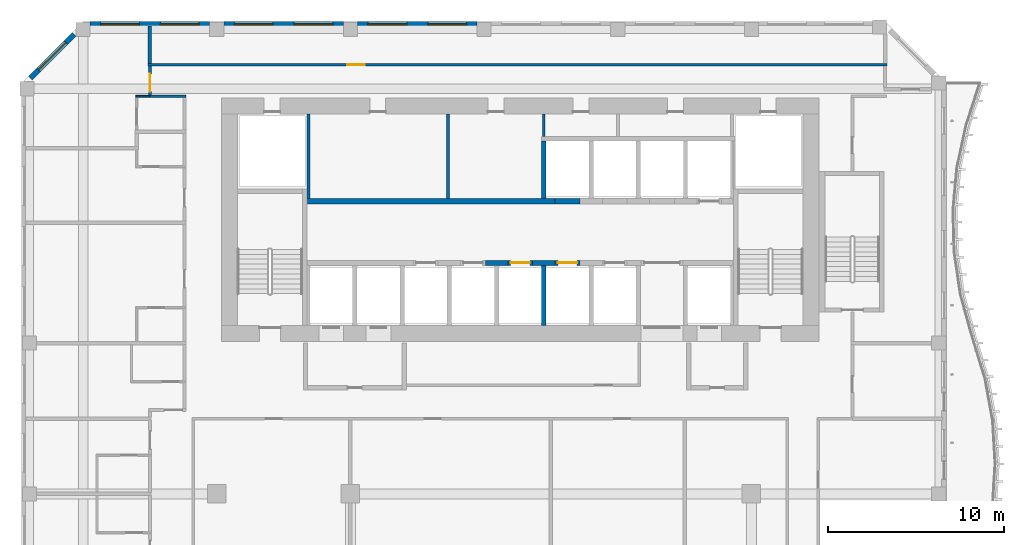
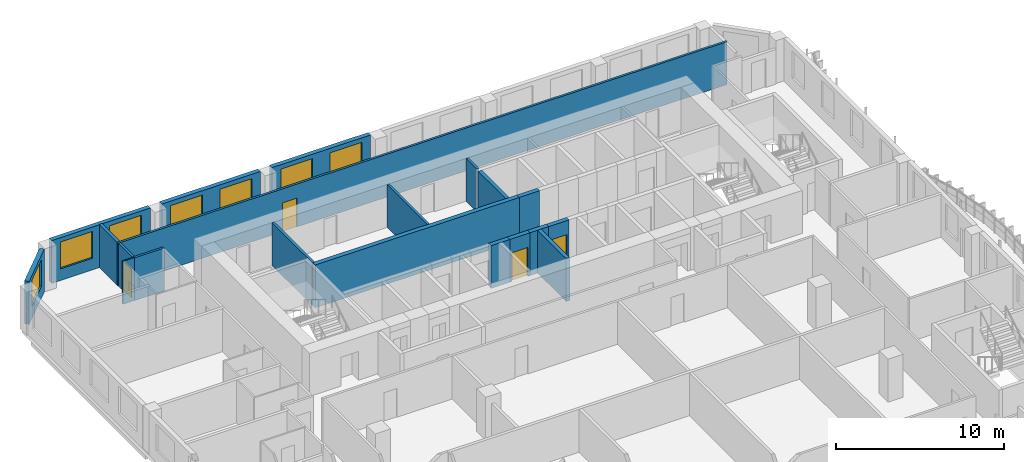
# One storey, part 8 of 23: 20 walls, 7 windows, 4 doors, 11 openings.
"""IFC4 building model written with IfcOpenShell, lengths in metres."""

from ifc_helpers import new_model, si_unit, direction, frame, frame_2d, origin, place, context, subcontext, project, spatial, rectangle, extrude, source, transform, mapped, material, layer, layer_set, type_object, element, fill, save


model = new_model("IFC4")

# Units and contexts
model_context = context("Model", 3, precision=1e-05, world=origin(), true_north=direction((0.0, 1.0)))
body_context = subcontext(model_context, "Body", "Model", "MODEL_VIEW")
ifc_project = project(units=[si_unit("LENGTHUNIT", "METRE"), si_unit("AREAUNIT", "SQUARE_METRE"), si_unit("VOLUMEUNIT", "CUBIC_METRE"), si_unit("PLANEANGLEUNIT", "RADIAN"), si_unit("MASSUNIT", "GRAM", prefix="KILO")], contexts=[model_context])

# Site, building, storey
site_placement = place(None, origin())
site = spatial("IfcSite", under=ifc_project, at=site_placement, CompositionType="ELEMENT")
building_placement = place(site_placement, origin())
building = spatial("IfcBuilding", under=site, at=building_placement, Name="Kilnfold Tower and Market Hall", CompositionType="ELEMENT")
storey_placement = place(building_placement, frame((0.0, 0.0, 178.699951171875)))
storey = spatial("IfcBuildingStorey", under=building, at=storey_placement, Name="L42", CompositionType="ELEMENT", Elevation=178.699951171875)

# Wall, opening, door
ifc_material_1 = material(Name="Gypsum board on steel studs", Category="steel")
ifc_layer_1 = layer(ifc_material_1, 0.14990234375)
ifc_layer_set_1 = layer_set([ifc_layer_1], Name="Gypsum board on steel studs")
wall_type_1 = type_object("IfcWallType", Name="WALL CORRIDOR 150", PredefinedType="PARTITIONING", material=ifc_layer_set_1)
wall_1_placement = place(storey_placement, frame((-19.958984375, 22.074951171875, 0.0), z_axis=(0.0, 0.0, 1.0), x_axis=(0.0, 1.0, 0.0)))
wall_1 = element("IfcWall", 1, at=wall_1_placement, inside=storey, type_object=wall_type_1, Name="Partition LY27.26", PredefinedType="PARTITIONING", context=body_context, shape_type="SweptSolid", body=[
    extrude(rectangle(XDim=1.650146484375, YDim=0.14990234375, at=frame_2d((0.8251953125, 0.0))), origin(), (0.0, 0.0, 1.0), 3.1201171875),
])
opening_1_placement = place(wall_1_placement, frame((0.199951171875, 0.0, 0.0)))
opening_1 = element("IfcOpeningElement", 2, at=opening_1_placement, cuts=wall_1, Name="Opening D1", PredefinedType="OPENING", context=body_context, shape_type="SweptSolid", body=[
    extrude(rectangle(XDim=1.0, YDim=2.10009765625, at=frame_2d((0.5, 1.050048828125))), frame((0.0, 0.0849609375, 0.0), z_axis=(0.0, -1.0, 0.0), x_axis=(1.0, 0.0, 0.0)), (0.0, 0.0, 1.0), 0.169921875),
])
ifc_material_2 = material(Name="Timber veneer door leaf in steel frame", Category="steel")
door_type_1 = type_object("IfcDoorType", Name="DOOR ENTRY 1000 X2100", OperationType="NOTDEFINED", PredefinedType="DOOR", material=ifc_material_2)
door_1_placement = place(opening_1_placement, origin())
door_1 = element("IfcDoor", 3, at=door_1_placement, inside=storey, type_object=door_type_1, Name="Door D1", OperationType="SINGLE_SWING_LEFT", OverallHeight=2.10009765625, OverallWidth=1.0, PredefinedType="DOOR", context=body_context, shape_type="SweptSolid", body=[
    extrude(rectangle(XDim=1.0, YDim=2.10009765625, at=frame_2d((0.5, 1.050048828125))), frame((0.0, 0.02490234375, 0.0), z_axis=(0.0, -1.0, 0.0), x_axis=(1.0, 0.0, 0.0)), (0.0, 0.0, 1.0), 0.050048828125),
])
fill(opening_1, door_1)

# Wall
wall_2_placement = place(storey_placement, frame((-19.958984375, 22.0, 0.0), z_axis=(0.0, 0.0, 1.0), x_axis=(1.0, 0.0, 0.0)))
element("IfcWall", 4, at=wall_2_placement, inside=storey, type_object=wall_type_1, Name="Partition LY27.28", PredefinedType="PARTITIONING", context=body_context, shape_type="SweptSolid", body=[
    extrude(rectangle(XDim=2.033935546875, YDim=0.14990234375, at=frame_2d((1.01708984375, 0.0))), origin(), (0.0, 0.0, 1.0), 3.1201171875),
])

# Wall, opening, door
wall_3_placement = place(storey_placement, frame((21.85009765625, 23.800048828125, 0.0), z_axis=(0.0, 0.0, 1.0), x_axis=(-1.0, 0.0, 0.0)))
wall_3 = element("IfcWall", 5, at=wall_3_placement, inside=storey, type_object=wall_type_1, Name="Partition LY27.39", PredefinedType="PARTITIONING", context=body_context, shape_type="SweptSolid", body=[
    extrude(rectangle(XDim=41.9091796875, YDim=0.14990234375, at=frame_2d((20.95458984375, 0.0))), origin(), (0.0, 0.0, 1.0), 3.1201171875),
])
opening_2_placement = place(wall_3_placement, frame((29.60693359375, 0.0, 0.0)))
opening_2 = element("IfcOpeningElement", 6, at=opening_2_placement, cuts=wall_3, Name="Opening D4", PredefinedType="OPENING", context=body_context, shape_type="SweptSolid", body=[
    extrude(rectangle(XDim=1.0, YDim=2.10009765625, at=frame_2d((0.5, 1.050048828125))), frame((0.0, 0.0849609375, 0.0), z_axis=(0.0, -1.0, 0.0), x_axis=(1.0, 0.0, 0.0)), (0.0, 0.0, 1.0), 0.169921875),
])
ifc_material_3 = material(Name="Timber veneer door leaf in steel frame", Category="steel")
door_type_2 = type_object("IfcDoorType", Name="DOOR SERVICE 1000 X2100", OperationType="NOTDEFINED", PredefinedType="DOOR", material=ifc_material_3)
door_2_placement = place(opening_2_placement, origin())
door_2 = element("IfcDoor", 7, at=door_2_placement, inside=storey, type_object=door_type_2, Name="Door D4", OperationType="SINGLE_SWING_LEFT", OverallHeight=2.10009765625, OverallWidth=1.0, PredefinedType="DOOR", context=body_context, shape_type="SweptSolid", body=[
    extrude(rectangle(XDim=1.0, YDim=2.10009765625, at=frame_2d((0.5, 1.050048828125))), frame((0.0, 0.02490234375, 0.0), z_axis=(0.0, -1.0, 0.0), x_axis=(1.0, 0.0, 0.0)), (0.0, 0.0, 1.0), 0.050048828125),
])
fill(opening_2, door_2)

# Walls
ifc_material_4 = material(Name="Gypsum board on steel studs", Category="steel")
ifc_layer_2 = layer(ifc_material_4, 0.10009765625)
ifc_layer_set_2 = layer_set([ifc_layer_2], Name="Gypsum board on steel studs")
wall_type_2 = type_object("IfcWallType", Name="WALL PARTITION 100", PredefinedType="PARTITIONING", material=ifc_layer_set_2)
wall_4_placement = place(storey_placement, frame((-20.751953125, 22.0, 0.0), z_axis=(0.0, 0.0, 1.0), x_axis=(1.0, 0.0, 0.0)))
element("IfcWall", 8, at=wall_4_placement, inside=storey, type_object=wall_type_2, Name="Partition LY27.108", PredefinedType="PARTITIONING", context=body_context, shape_type="SweptSolid", body=[
    extrude(rectangle(XDim=0.791015625, YDim=0.10009765625, at=frame_2d((0.3955078125, 0.0))), origin(), (0.0, 0.0, 1.0), 3.1201171875),
])
ifc_material_5 = material(Name="Gypsum board on steel studs", Category="steel")
ifc_layer_3 = layer(ifc_material_5, 0.199951171875)
ifc_layer_set_3 = layer_set([ifc_layer_3], Name="Gypsum board on steel studs")
wall_type_3 = type_object("IfcWallType", Name="WALL PARTY 200", PredefinedType="PARTITIONING", material=ifc_layer_set_3)
wall_5_placement = place(storey_placement, frame((-19.958984375, 23.876953125, 0.0), z_axis=(0.0, 0.0, 1.0), x_axis=(0.0, 1.0, 0.0)))
element("IfcWall", 9, at=wall_5_placement, inside=storey, type_object=wall_type_3, Name="Partition LY27.110", PredefinedType="PARTITIONING", context=body_context, shape_type="SweptSolid", body=[
    extrude(rectangle(XDim=2.123046875, YDim=0.199951171875, at=frame_2d((1.0615234375, 0.0))), origin(), (0.0, 0.0, 1.0), 3.1201171875),
])
ifc_material_6 = material(Name="Concrete C70", Category="concrete")
ifc_layer_4 = layer(ifc_material_6, 0.300048828125)
ifc_layer_set_4 = layer_set([ifc_layer_4], Name="Concrete C70")
wall_type_4 = type_object("IfcWallType", Name="CORE WALL 300 C70", PredefinedType="SHEAR", material=ifc_layer_set_4)
shared_shape_1 = source(origin(), body_context, "Body", "SweptSolid", [
    extrude(rectangle(XDim=1.280029296875, YDim=0.300048828125, at=frame_2d((0.64013671875, 0.0))), origin(), (0.0, 0.0, 1.0), 3.1201171875),
])
for number, where, z_axis, x_axis, name in (
    (10, (-0.929931640625, 12.550048828125, 0.0), (0.0, 0.0, 1.0), (1.0, 0.0, 0.0), "Core spine wall"),
    (11, (1.75, 12.550048828125, 0.0), (0.0, 0.0, 1.0), (1.0, 0.0, 0.0), "Core spine wall"),
):
    element("IfcWall", number, at=place(storey_placement, frame(where, z_axis=z_axis, x_axis=x_axis)), inside=storey, type_object=wall_type_4, Name=name, PredefinedType="SHEAR", context=body_context, shape_type="MappedRepresentation", body=[
        mapped(shared_shape_1, transform((0.0, 0.0, 0.0))),
    ])
shared_shape_2 = source(origin(), body_context, "Body", "SweptSolid", [
    extrude(rectangle(XDim=14.0400390625, YDim=0.300048828125, at=frame_2d((7.02001953125, 0.0))), origin(), (0.0, 0.0, 1.0), 3.1201171875),
])
wall_6_placement = place(storey_placement, frame((-11.010009765625, 16.050048828125, 0.0), z_axis=(0.0, 0.0, 1.0), x_axis=(1.0, 0.0, 0.0)))
element("IfcWall", 12, at=wall_6_placement, inside=storey, type_object=wall_type_4, Name="Core spine wall", PredefinedType="SHEAR", context=body_context, shape_type="MappedRepresentation", body=[
    mapped(shared_shape_2, transform((0.0, 0.0, 0.0))),
])

# Wall, openings, windows
ifc_material_7 = material(Name="Precast concrete C50/60", Category="concrete")
ifc_layer_5 = layer(ifc_material_7, 0.300048828125)
ifc_layer_set_5 = layer_set([ifc_layer_5], Name="Precast concrete C50/60")
wall_type_5 = type_object("IfcWallType", Name="PRECAST WALL 300", PredefinedType="SOLIDWALL", material=ifc_layer_set_5)
shared_shape_3 = source(origin(), body_context, "Body", "SweptSolid", [
    extrude(rectangle(XDim=6.783447265625, YDim=0.300048828125, at=frame_2d((3.3916015625, 0.0))), origin(), (0.0, 0.0, 1.0), 3.1201171875),
])
wall_7_placement = place(storey_placement, frame((-1.39990234375, 26.10009765625, 0.0), z_axis=(0.0, 0.0, 1.0), x_axis=(-1.0, 0.0, 0.0)))
wall_7 = element("IfcWall", 13, at=wall_7_placement, inside=storey, type_object=wall_type_5, Name="External wall L42 N", PredefinedType="SOLIDWALL", context=body_context, shape_type="MappedRepresentation", body=[
    mapped(shared_shape_3, transform((0.0, 0.0, 0.0))),
])
opening_3_placement = place(wall_7_placement, frame((0.595703125, 0.0, 0.85009765625)))
opening_3 = element("IfcOpeningElement", 14, at=opening_3_placement, cuts=wall_7, Name="Opening W2", PredefinedType="OPENING", context=body_context, shape_type="SweptSolid", body=[
    extrude(rectangle(XDim=2.199951171875, YDim=1.949951171875, at=frame_2d((1.10009765625, 0.97509765625))), frame((0.0, 0.16015625, 0.0), z_axis=(0.0, -1.0, 0.0), x_axis=(1.0, 0.0, 0.0)), (0.0, 0.0, 1.0), 0.320068359375),
])
opening_4_placement = place(wall_7_placement, frame((3.987548828125, 0.0, 0.85009765625)))
opening_4 = element("IfcOpeningElement", 15, at=opening_4_placement, cuts=wall_7, Name="Opening W2", PredefinedType="OPENING", context=body_context, shape_type="SweptSolid", body=[
    extrude(rectangle(XDim=2.199951171875, YDim=1.949951171875, at=frame_2d((1.10009765625, 0.97509765625))), frame((0.0, 0.16015625, 0.0), z_axis=(0.0, -1.0, 0.0), x_axis=(1.0, 0.0, 0.0)), (0.0, 0.0, 1.0), 0.320068359375),
])
ifc_material_8 = material(Name="Aluminium frame and double glazing", Category="aluminium")
window_type = type_object("IfcWindowType", Name="WINDOW W2 2200X1950", PartitioningType="SINGLE_PANEL", PredefinedType="WINDOW", material=ifc_material_8)
window_1_placement = place(opening_3_placement, origin())
window_1 = element("IfcWindow", 16, at=window_1_placement, inside=storey, type_object=window_type, Name="Window W2 L42 N-1", OverallHeight=1.949951171875, OverallWidth=2.199951171875, PartitioningType="SINGLE_PANEL", PredefinedType="WINDOW", context=body_context, shape_type="SweptSolid", body=[
    extrude(rectangle(XDim=2.199951171875, YDim=1.949951171875, at=frame_2d((1.10009765625, 0.97509765625))), frame((0.0, 0.030029296875, 0.0), z_axis=(0.0, -1.0, 0.0), x_axis=(1.0, 0.0, 0.0)), (0.0, 0.0, 1.0), 0.06005859375),
])
fill(opening_3, window_1)
window_2_placement = place(opening_4_placement, origin())
window_2 = element("IfcWindow", 17, at=window_2_placement, inside=storey, type_object=window_type, Name="Window W2 L42 N-2", OverallHeight=1.949951171875, OverallWidth=2.199951171875, PartitioningType="SINGLE_PANEL", PredefinedType="WINDOW", context=body_context, shape_type="SweptSolid", body=[
    extrude(rectangle(XDim=2.199951171875, YDim=1.949951171875, at=frame_2d((1.10009765625, 0.97509765625))), frame((0.0, 0.030029296875, 0.0), z_axis=(0.0, -1.0, 0.0), x_axis=(1.0, 0.0, 0.0)), (0.0, 0.0, 1.0), 0.06005859375),
])
fill(opening_4, window_2)

wall_8_placement = place(storey_placement, frame((-16.566650390625, 26.10009765625, 0.0), z_axis=(0.0, 0.0, 1.0), x_axis=(-1.0, 0.0, 0.0)))
wall_8 = element("IfcWall", 18, at=wall_8_placement, inside=storey, type_object=wall_type_5, Name="External wall L42 N", PredefinedType="SOLIDWALL", context=body_context, shape_type="MappedRepresentation", body=[
    mapped(shared_shape_3, transform((0.0, 0.0, 0.0))),
])
opening_5_placement = place(wall_8_placement, frame((0.595703125, 0.0, 0.85009765625)))
opening_5 = element("IfcOpeningElement", 19, at=opening_5_placement, cuts=wall_8, Name="Opening W2", PredefinedType="OPENING", context=body_context, shape_type="SweptSolid", body=[
    extrude(rectangle(XDim=2.199951171875, YDim=1.949951171875, at=frame_2d((1.10009765625, 0.97509765625))), frame((0.0, 0.16015625, 0.0), z_axis=(0.0, -1.0, 0.0), x_axis=(1.0, 0.0, 0.0)), (0.0, 0.0, 1.0), 0.320068359375),
])
opening_6_placement = place(wall_8_placement, frame((3.987548828125, 0.0, 0.85009765625)))
opening_6 = element("IfcOpeningElement", 20, at=opening_6_placement, cuts=wall_8, Name="Opening W2", PredefinedType="OPENING", context=body_context, shape_type="SweptSolid", body=[
    extrude(rectangle(XDim=2.199951171875, YDim=1.949951171875, at=frame_2d((1.10009765625, 0.97509765625))), frame((0.0, 0.16015625, 0.0), z_axis=(0.0, -1.0, 0.0), x_axis=(1.0, 0.0, 0.0)), (0.0, 0.0, 1.0), 0.320068359375),
])
window_3_placement = place(opening_5_placement, origin())
window_3 = element("IfcWindow", 21, at=window_3_placement, inside=storey, type_object=window_type, Name="Window W2 L42 N-1", OverallHeight=1.949951171875, OverallWidth=2.199951171875, PartitioningType="SINGLE_PANEL", PredefinedType="WINDOW", context=body_context, shape_type="SweptSolid", body=[
    extrude(rectangle(XDim=2.199951171875, YDim=1.949951171875, at=frame_2d((1.10009765625, 0.97509765625))), frame((0.0, 0.030029296875, 0.0), z_axis=(0.0, -1.0, 0.0), x_axis=(1.0, 0.0, 0.0)), (0.0, 0.0, 1.0), 0.06005859375),
])
fill(opening_5, window_3)
window_4_placement = place(opening_6_placement, origin())
window_4 = element("IfcWindow", 22, at=window_4_placement, inside=storey, type_object=window_type, Name="Window W2 L42 N-2", OverallHeight=1.949951171875, OverallWidth=2.199951171875, PartitioningType="SINGLE_PANEL", PredefinedType="WINDOW", context=body_context, shape_type="SweptSolid", body=[
    extrude(rectangle(XDim=2.199951171875, YDim=1.949951171875, at=frame_2d((1.10009765625, 0.97509765625))), frame((0.0, 0.030029296875, 0.0), z_axis=(0.0, -1.0, 0.0), x_axis=(1.0, 0.0, 0.0)), (0.0, 0.0, 1.0), 0.06005859375),
])
fill(opening_6, window_4)

shared_shape_4 = source(origin(), body_context, "Body", "SweptSolid", [
    extrude(rectangle(XDim=6.783203125, YDim=0.300048828125, at=frame_2d((3.3916015625, 0.0))), origin(), (0.0, 0.0, 1.0), 3.1201171875),
])
wall_9_placement = place(storey_placement, frame((-8.9833984375, 26.10009765625, 0.0), z_axis=(0.0, 0.0, 1.0), x_axis=(-1.0, 0.0, 0.0)))
wall_9 = element("IfcWall", 23, at=wall_9_placement, inside=storey, type_object=wall_type_5, Name="External wall L42 N", PredefinedType="SOLIDWALL", context=body_context, shape_type="MappedRepresentation", body=[
    mapped(shared_shape_4, transform((0.0, 0.0, 0.0))),
])
opening_7_placement = place(wall_9_placement, frame((0.595703125, 0.0, 0.85009765625)))
opening_7 = element("IfcOpeningElement", 24, at=opening_7_placement, cuts=wall_9, Name="Opening W2", PredefinedType="OPENING", context=body_context, shape_type="SweptSolid", body=[
    extrude(rectangle(XDim=2.199951171875, YDim=1.949951171875, at=frame_2d((1.10009765625, 0.97509765625))), frame((0.0, 0.16015625, 0.0), z_axis=(0.0, -1.0, 0.0), x_axis=(1.0, 0.0, 0.0)), (0.0, 0.0, 1.0), 0.320068359375),
])
opening_8_placement = place(wall_9_placement, frame((3.987548828125, 0.0, 0.85009765625)))
opening_8 = element("IfcOpeningElement", 25, at=opening_8_placement, cuts=wall_9, Name="Opening W2", PredefinedType="OPENING", context=body_context, shape_type="SweptSolid", body=[
    extrude(rectangle(XDim=2.199951171875, YDim=1.949951171875, at=frame_2d((1.10009765625, 0.97509765625))), frame((0.0, 0.16015625, 0.0), z_axis=(0.0, -1.0, 0.0), x_axis=(1.0, 0.0, 0.0)), (0.0, 0.0, 1.0), 0.320068359375),
])
window_5_placement = place(opening_7_placement, origin())
window_5 = element("IfcWindow", 26, at=window_5_placement, inside=storey, type_object=window_type, Name="Window W2 L42 N-1", OverallHeight=1.949951171875, OverallWidth=2.199951171875, PartitioningType="SINGLE_PANEL", PredefinedType="WINDOW", context=body_context, shape_type="SweptSolid", body=[
    extrude(rectangle(XDim=2.199951171875, YDim=1.949951171875, at=frame_2d((1.10009765625, 0.97509765625))), frame((0.0, 0.030029296875, 0.0), z_axis=(0.0, -1.0, 0.0), x_axis=(1.0, 0.0, 0.0)), (0.0, 0.0, 1.0), 0.06005859375),
])
fill(opening_7, window_5)
window_6_placement = place(opening_8_placement, origin())
window_6 = element("IfcWindow", 27, at=window_6_placement, inside=storey, type_object=window_type, Name="Window W2 L42 N-2", OverallHeight=1.949951171875, OverallWidth=2.199951171875, PartitioningType="SINGLE_PANEL", PredefinedType="WINDOW", context=body_context, shape_type="SweptSolid", body=[
    extrude(rectangle(XDim=2.199951171875, YDim=1.949951171875, at=frame_2d((1.10009765625, 0.97509765625))), frame((0.0, 0.030029296875, 0.0), z_axis=(0.0, -1.0, 0.0), x_axis=(1.0, 0.0, 0.0)), (0.0, 0.0, 1.0), 0.06005859375),
])
fill(opening_8, window_6)

# Wall, opening, window
shared_shape_5 = source(origin(), body_context, "Body", "SweptSolid", [
    extrude(rectangle(XDim=3.500244140625, YDim=0.300048828125, at=frame_2d((1.75, 0.0))), origin(), (0.0, 0.0, 1.0), 3.1201171875),
])
wall_10_placement = place(storey_placement, frame((-24.268798828125, 25.518798828125, 0.0), z_axis=(0.0, 0.0, 1.0), x_axis=(-0.707141656123, -0.70707190453, 0.0)))
wall_10 = element("IfcWall", 28, at=wall_10_placement, inside=storey, type_object=wall_type_5, Name="External wall L42 NW", PredefinedType="SOLIDWALL", context=body_context, shape_type="MappedRepresentation", body=[
    mapped(shared_shape_5, transform((0.0, 0.0, 0.0))),
])
opening_9_placement = place(wall_10_placement, frame((0.650146484375, 0.0, 0.85009765625)))
opening_9 = element("IfcOpeningElement", 29, at=opening_9_placement, cuts=wall_10, Name="Opening W2", PredefinedType="OPENING", context=body_context, shape_type="SweptSolid", body=[
    extrude(rectangle(XDim=2.199951171875, YDim=1.949951171875, at=frame_2d((1.10009765625, 0.97509765625))), frame((0.0, 0.16015625, 0.0), z_axis=(0.0, -1.0, 0.0), x_axis=(1.0, 0.0, 0.0)), (0.0, 0.0, 1.0), 0.320068359375),
])
window_7_placement = place(opening_9_placement, origin())
window_7 = element("IfcWindow", 30, at=window_7_placement, inside=storey, type_object=window_type, Name="Window W2 L42 NW-1", OverallHeight=1.949951171875, OverallWidth=2.199951171875, PartitioningType="SINGLE_PANEL", PredefinedType="WINDOW", context=body_context, shape_type="SweptSolid", body=[
    extrude(rectangle(XDim=2.199951171875, YDim=1.949951171875, at=frame_2d((1.10009765625, 0.97509765625))), frame((0.0, 0.030029296875, 0.0), z_axis=(0.0, -1.0, 0.0), x_axis=(1.0, 0.0, 0.0)), (0.0, 0.0, 1.0), 0.06005859375),
])
fill(opening_9, window_7)

# Wall, opening, door
ifc_material_9 = material(Name="Gypsum shaft wall system")
ifc_layer_6 = layer(ifc_material_9, 0.300048828125)
ifc_layer_set_6 = layer_set([ifc_layer_6], Name="Gypsum shaft wall system")
wall_type_6 = type_object("IfcWallType", Name="SHAFT WALL 300", PredefinedType="PARTITIONING", material=ifc_layer_set_6)
shared_shape_6 = source(origin(), body_context, "Body", "SweptSolid", [
    extrude(rectangle(XDim=1.39990234375, YDim=0.300048828125, at=frame_2d((0.699951171875, 0.0))), origin(), (0.0, 0.0, 1.0), 3.1201171875),
])
wall_11_placement = place(storey_placement, frame((0.35009765625, 12.550048828125, 0.0), z_axis=(0.0, 0.0, 1.0), x_axis=(1.0, 0.0, 0.0)))
wall_11 = element("IfcWall", 31, at=wall_11_placement, inside=storey, type_object=wall_type_6, Name="Lift shaft front wall", PredefinedType="PARTITIONING", context=body_context, shape_type="MappedRepresentation", body=[
    mapped(shared_shape_6, transform((0.0, 0.0, 0.0))),
])
opening_10_placement = place(wall_11_placement, frame((0.14990234375, 0.0, 0.0)))
opening_10 = element("IfcOpeningElement", 32, at=opening_10_placement, cuts=wall_11, Name="Opening LD2", PredefinedType="OPENING", context=body_context, shape_type="SweptSolid", body=[
    extrude(rectangle(XDim=1.10009765625, YDim=2.10009765625, at=frame_2d((0.550048828125, 1.050048828125))), frame((0.0, 0.16015625, 0.0), z_axis=(0.0, -1.0, 0.0), x_axis=(1.0, 0.0, 0.0)), (0.0, 0.0, 1.0), 0.320068359375),
])
ifc_material_10 = material(Name="Steel door set with fire-resisting leaf", Category="steel")
door_type_3 = type_object("IfcDoorType", Name="LANDING DOOR 1100X2100", OperationType="NOTDEFINED", PredefinedType="DOOR", material=ifc_material_10)
door_3_placement = place(opening_10_placement, origin())
door_3 = element("IfcDoor", 33, at=door_3_placement, inside=storey, type_object=door_type_3, Name="Landing door MR3", OperationType="DOUBLE_DOOR_SLIDING", OverallHeight=2.10009765625, OverallWidth=1.10009765625, PredefinedType="DOOR", context=body_context, shape_type="SweptSolid", body=[
    extrude(rectangle(XDim=1.10009765625, YDim=2.10009765625, at=frame_2d((0.550048828125, 1.050048828125))), frame((0.0, 0.02490234375, 0.0), z_axis=(0.0, -1.0, 0.0), x_axis=(1.0, 0.0, 0.0)), (0.0, 0.0, 1.0), 0.050048828125),
])
fill(opening_10, door_3)

wall_12_placement = place(storey_placement, frame((3.030029296875, 12.550048828125, 0.0), z_axis=(0.0, 0.0, 1.0), x_axis=(1.0, 0.0, 0.0)))
wall_12 = element("IfcWall", 34, at=wall_12_placement, inside=storey, type_object=wall_type_6, Name="Lift shaft front wall", PredefinedType="PARTITIONING", context=body_context, shape_type="MappedRepresentation", body=[
    mapped(shared_shape_6, transform((0.0, 0.0, 0.0))),
])
opening_11_placement = place(wall_12_placement, frame((0.14990234375, 0.0, 0.0)))
opening_11 = element("IfcOpeningElement", 35, at=opening_11_placement, cuts=wall_12, Name="Opening LD2", PredefinedType="OPENING", context=body_context, shape_type="SweptSolid", body=[
    extrude(rectangle(XDim=1.10009765625, YDim=2.10009765625, at=frame_2d((0.550048828125, 1.050048828125))), frame((0.0, 0.16015625, 0.0), z_axis=(0.0, -1.0, 0.0), x_axis=(1.0, 0.0, 0.0)), (0.0, 0.0, 1.0), 0.320068359375),
])
door_4_placement = place(opening_11_placement, origin())
door_4 = element("IfcDoor", 36, at=door_4_placement, inside=storey, type_object=door_type_3, Name="Landing door MR4", OperationType="DOUBLE_DOOR_SLIDING", OverallHeight=2.10009765625, OverallWidth=1.10009765625, PredefinedType="DOOR", context=body_context, shape_type="SweptSolid", body=[
    extrude(rectangle(XDim=1.10009765625, YDim=2.10009765625, at=frame_2d((0.550048828125, 1.050048828125))), frame((0.0, 0.02490234375, 0.0), z_axis=(0.0, -1.0, 0.0), x_axis=(1.0, 0.0, 0.0)), (0.0, 0.0, 1.0), 0.050048828125),
])
fill(opening_11, door_4)

# Walls
wall_13_placement = place(storey_placement, frame((3.030029296875, 16.050048828125, 0.0), z_axis=(0.0, 0.0, 1.0), x_axis=(1.0, 0.0, 0.0)))
element("IfcWall", 37, at=wall_13_placement, inside=storey, type_object=wall_type_6, Name="Lift shaft front wall", PredefinedType="PARTITIONING", context=body_context, shape_type="MappedRepresentation", body=[
    mapped(shared_shape_6, transform((0.0, 0.0, 0.0))),
])
ifc_material_11 = material(Name="Gypsum shaft wall system")
ifc_layer_7 = layer(ifc_material_11, 0.1650390625)
ifc_layer_set_7 = layer_set([ifc_layer_7], Name="Gypsum shaft wall system")
wall_type_7 = type_object("IfcWallType", Name="SHAFT WALL 165", PredefinedType="PARTITIONING", material=ifc_layer_set_7)
shared_shape_7 = source(origin(), body_context, "Body", "SweptSolid", [
    extrude(rectangle(XDim=4.800048828125, YDim=0.1650390625, at=frame_2d((2.39990234375, 0.0))), origin(), (0.0, 0.0, 1.0), 3.1201171875),
])
wall_14_placement = place(storey_placement, frame((-10.967529296875, 16.199951171875, 0.0), z_axis=(0.0, 0.0, 1.0), x_axis=(0.0, 1.0, 0.0)))
element("IfcWall", 38, at=wall_14_placement, inside=storey, type_object=wall_type_7, Name="Lift shaft wall", PredefinedType="PARTITIONING", context=body_context, shape_type="MappedRepresentation", body=[
    mapped(shared_shape_7, transform((0.0, 0.0, 0.0))),
])
ifc_material_12 = material(Name="Gypsum shaft wall system")
ifc_layer_8 = layer(ifc_material_12, 0.25)
ifc_layer_set_8 = layer_set([ifc_layer_8], Name="Gypsum shaft wall system")
wall_type_8 = type_object("IfcWallType", Name="SHAFT WALL 250", PredefinedType="PARTITIONING", material=ifc_layer_set_8)
shared_shape_8 = source(origin(), body_context, "Body", "SweptSolid", [
    extrude(rectangle(XDim=3.275146484375, YDim=0.25, at=frame_2d((1.6376953125, 0.0))), origin(), (0.0, 0.0, 1.0), 3.1201171875),
])
wall_15_placement = place(storey_placement, frame((2.389892578125, 16.199951171875, 0.0), z_axis=(0.0, 0.0, 1.0), x_axis=(0.0, 1.0, 0.0)))
element("IfcWall", 39, at=wall_15_placement, inside=storey, type_object=wall_type_8, Name="Lift shaft wall", PredefinedType="PARTITIONING", context=body_context, shape_type="MappedRepresentation", body=[
    mapped(shared_shape_8, transform((0.0, 0.0, 0.0))),
])
shared_shape_9 = source(origin(), body_context, "Body", "SweptSolid", [
    extrude(rectangle(XDim=3.39990234375, YDim=0.25, at=frame_2d((1.699951171875, 0.0))), origin(), (0.0, 0.0, 1.0), 3.1201171875),
])
wall_16_placement = place(storey_placement, frame((2.389892578125, 9.0, 0.0), z_axis=(0.0, 0.0, 1.0), x_axis=(0.0, 1.0, 0.0)))
element("IfcWall", 40, at=wall_16_placement, inside=storey, type_object=wall_type_8, Name="Lift shaft wall", PredefinedType="PARTITIONING", context=body_context, shape_type="MappedRepresentation", body=[
    mapped(shared_shape_9, transform((0.0, 0.0, 0.0))),
])
ifc_material_13 = material(Name="Gypsum shaft wall system")
ifc_layer_9 = layer(ifc_material_13, 0.14990234375)
ifc_layer_set_9 = layer_set([ifc_layer_9], Name="Gypsum shaft wall system")
wall_type_9 = type_object("IfcWallType", Name="ROOM WALL 150", PredefinedType="PARTITIONING", material=ifc_layer_set_9)
shared_shape_10 = source(origin(), body_context, "Body", "SweptSolid", [
    extrude(rectangle(XDim=4.800048828125, YDim=0.14990234375, at=frame_2d((2.39990234375, 0.0))), origin(), (0.0, 0.0, 1.0), 3.1201171875),
])
wall_17_placement = place(storey_placement, frame((-3.05029296875, 16.199951171875, 0.0), z_axis=(0.0, 0.0, 1.0), x_axis=(0.0, 1.0, 0.0)))
element("IfcWall", 41, at=wall_17_placement, inside=storey, type_object=wall_type_9, Name="Core room wall", PredefinedType="PARTITIONING", context=body_context, shape_type="MappedRepresentation", body=[
    mapped(shared_shape_10, transform((0.0, 0.0, 0.0))),
])
shared_shape_11 = source(origin(), body_context, "Body", "SweptSolid", [
    extrude(rectangle(XDim=1.27490234375, YDim=0.14990234375, at=frame_2d((0.637451171875, 0.0))), origin(), (0.0, 0.0, 1.0), 3.1201171875),
])
wall_18_placement = place(storey_placement, frame((2.389892578125, 19.72509765625, 0.0), z_axis=(0.0, 0.0, 1.0), x_axis=(0.0, 1.0, 0.0)))
element("IfcWall", 42, at=wall_18_placement, inside=storey, type_object=wall_type_9, Name="Core room wall", PredefinedType="PARTITIONING", context=body_context, shape_type="MappedRepresentation", body=[
    mapped(shared_shape_11, transform((0.0, 0.0, 0.0))),
])

save(model, "model.ifc")
